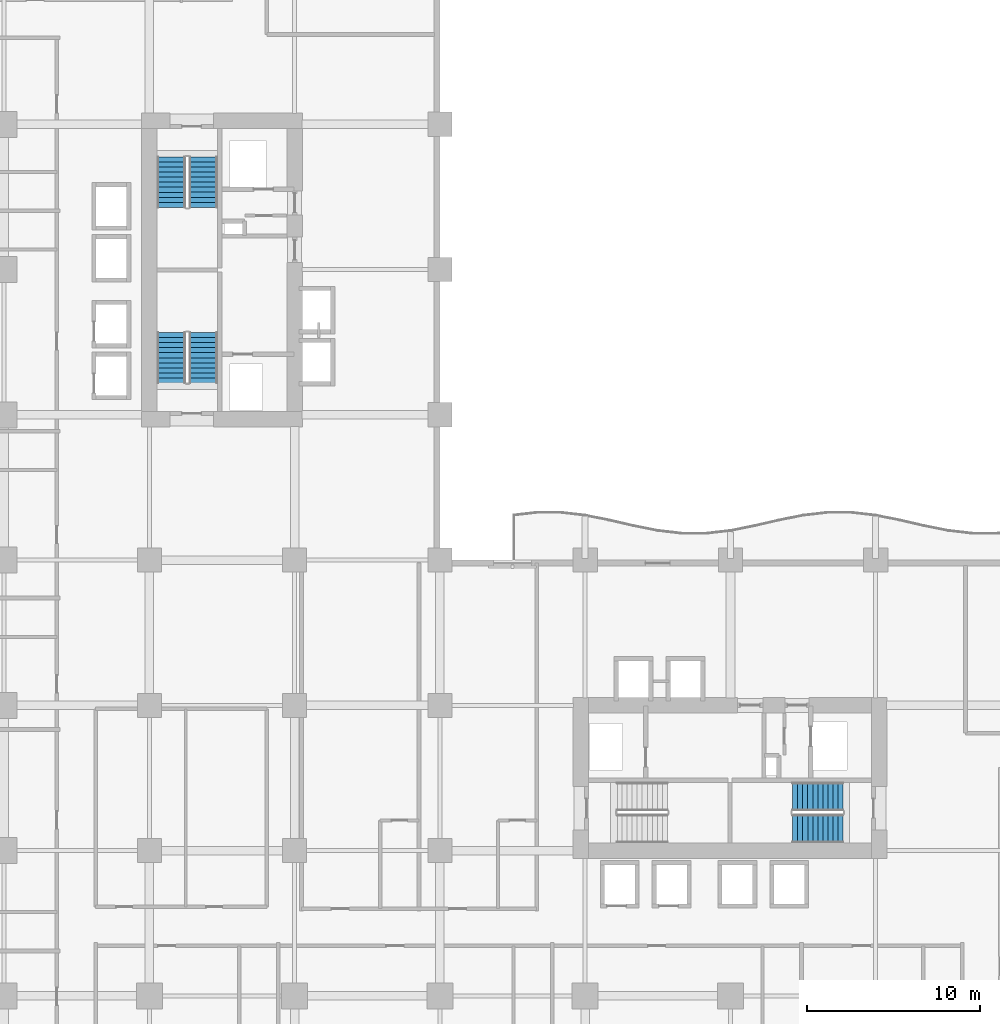
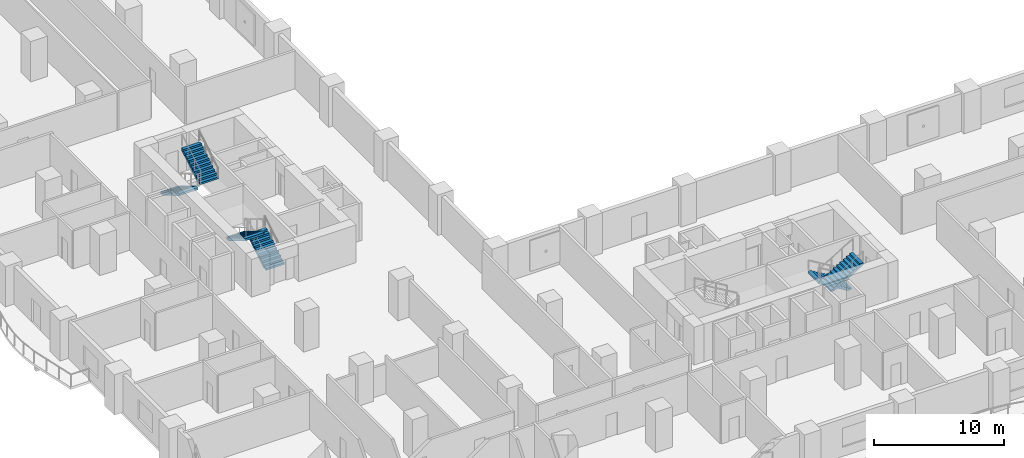
# One storey, part 14 of 20: 6 stair flights, 3 elements without a shape of their own.
"""IFC4 building model written with IfcOpenShell, lengths in metres."""

from ifc_helpers import new_model, si_unit, direction, frame, origin, place, context, subcontext, project, spatial, polyline, outline, extrude, material, type_object, element, aggregate, save


model = new_model("IFC4")

# Units and contexts
model_context = context("Model", 3, precision=1e-05, world=origin(), true_north=direction((0.0, 1.0)))
body_context = subcontext(model_context, "Body", "Model", "MODEL_VIEW")
ifc_project = project(units=[si_unit("LENGTHUNIT", "METRE"), si_unit("AREAUNIT", "SQUARE_METRE"), si_unit("VOLUMEUNIT", "CUBIC_METRE"), si_unit("PLANEANGLEUNIT", "RADIAN"), si_unit("MASSUNIT", "GRAM", prefix="KILO")], contexts=[model_context])

# Site, building, storey
site_placement = place(None, origin())
site = spatial("IfcSite", under=ifc_project, at=site_placement, CompositionType="ELEMENT")
building_placement = place(site_placement, origin())
building = spatial("IfcBuilding", under=site, at=building_placement, Name="Koriwani Terraces Tower", CompositionType="ELEMENT")
storey_placement = place(building_placement, frame((0.0, 0.0, 66.199951171875)))
storey = spatial("IfcBuildingStorey", under=building, at=storey_placement, Name="L15", CompositionType="ELEMENT", Elevation=66.199951171875)

# Stair, stair flights
ifc_material = material(Name="Concrete C40/50", Category="concrete")
stair_type = type_object("IfcStairType", Name="STAIR_CORE_DOGLEG_1650", PredefinedType="TWO_STRAIGHT_RUN_STAIR", material=ifc_material)
stair_1_placement = place(storey_placement, origin())
stair_1 = element("IfcStair", 1, at=stair_1_placement, inside=storey, type_object=stair_type, Name="L15 West Core Exit Stair 1", PredefinedType="HALF_TURN_STAIR")
stair_flight_type = type_object("IfcStairFlightType", Name="STAIR_FLIGHT_RC_1650", PredefinedType="STRAIGHT", material=ifc_material)
stair_flight_1_placement = place(storey_placement, frame((19.925048828125, 43.85009765625, 0.0), z_axis=(0.0, 0.0, 1.0), x_axis=(0.0, 1.0, 0.0)))
stair_flight_1 = element("IfcStairFlight", 2, at=stair_flight_1_placement, type_object=stair_flight_type, Name="ST-W1 flight 1", NumberOfRisers=11, NumberOfTreads=10, PredefinedType="STRAIGHT", RiserHeight=0.172727273, TreadLength=0.29, context=body_context, shape_type="SweptSolid", body=[
    extrude(outline(polyline([(0.0, 0.0), (0.0, 0.172607421875), (0.2900390625, 0.172607421875), (0.2900390625, 0.345458984375), (0.580078125, 0.345458984375), (0.580078125, 0.51806640625), (0.8701171875, 0.51806640625), (0.8701171875, 0.69091796875), (1.159912109375, 0.69091796875), (1.159912109375, 0.863525390625), (1.449951171875, 0.863525390625), (1.449951171875, 1.036376953125), (1.739990234375, 1.036376953125), (1.739990234375, 1.208984375), (2.030029296875, 1.208984375), (2.030029296875, 1.3818359375), (2.320068359375, 1.3818359375), (2.320068359375, 1.554443359375), (2.610107421875, 1.554443359375), (2.610107421875, 1.727294921875), (2.89990234375, 1.727294921875), (2.89990234375, 1.89990234375), (2.89990234375, 1.517822265625), (0.3515625, 0.0), (0.0, 0.0)])), frame((0.0, 0.824951171875, 0.0), z_axis=(0.0, -1.0, 0.0), x_axis=(1.0, 0.0, 0.0)), (0.0, 0.0, 1.0), 1.64990234375),
])
stair_flight_2_placement = place(storey_placement, frame((18.074951171875, 46.75, 1.900146484375), z_axis=(0.0, 0.0, 1.0), x_axis=(0.0, -1.0, 0.0)))
stair_flight_2 = element("IfcStairFlight", 3, at=stair_flight_2_placement, type_object=stair_flight_type, Name="ST-W1 flight 2", NumberOfRisers=11, NumberOfTreads=10, PredefinedType="STRAIGHT", RiserHeight=0.172727273, TreadLength=0.29, context=body_context, shape_type="SweptSolid", body=[
    extrude(outline(polyline([(0.0, 0.0), (0.0, 0.172607421875), (0.2900390625, 0.172607421875), (0.2900390625, 0.345458984375), (0.580078125, 0.345458984375), (0.580078125, 0.51806640625), (0.8701171875, 0.51806640625), (0.8701171875, 0.69091796875), (1.159912109375, 0.69091796875), (1.159912109375, 0.863525390625), (1.449951171875, 0.863525390625), (1.449951171875, 1.036376953125), (1.739990234375, 1.036376953125), (1.739990234375, 1.208984375), (2.030029296875, 1.208984375), (2.030029296875, 1.3818359375), (2.320068359375, 1.3818359375), (2.320068359375, 1.554443359375), (2.610107421875, 1.554443359375), (2.610107421875, 1.727294921875), (2.89990234375, 1.727294921875), (2.89990234375, 1.89990234375), (2.89990234375, 1.517822265625), (0.3515625, 0.0), (0.0, 0.0)])), frame((0.0, 0.824951171875, 0.0), z_axis=(0.0, -1.0, 0.0), x_axis=(1.0, 0.0, 0.0)), (0.0, 0.0, 1.0), 1.64990234375),
])
aggregate(stair_1, [stair_flight_1, stair_flight_2])

stair_2_placement = place(storey_placement, origin())
stair_2 = element("IfcStair", 4, at=stair_2_placement, inside=storey, type_object=stair_type, Name="L15 West Core Exit Stair 2", PredefinedType="HALF_TURN_STAIR")
stair_flight_3_placement = place(storey_placement, frame((18.074951171875, 56.89990234375, 0.0), z_axis=(0.0, 0.0, 1.0), x_axis=(0.0, -1.0, 0.0)))
stair_flight_3 = element("IfcStairFlight", 5, at=stair_flight_3_placement, type_object=stair_flight_type, Name="ST-W2 flight 1", NumberOfRisers=11, NumberOfTreads=10, PredefinedType="STRAIGHT", RiserHeight=0.172727273, TreadLength=0.29, context=body_context, shape_type="SweptSolid", body=[
    extrude(outline(polyline([(0.0, 0.0), (0.0, 0.172607421875), (0.2900390625, 0.172607421875), (0.2900390625, 0.345458984375), (0.580078125, 0.345458984375), (0.580078125, 0.51806640625), (0.8701171875, 0.51806640625), (0.8701171875, 0.69091796875), (1.159912109375, 0.69091796875), (1.159912109375, 0.863525390625), (1.449951171875, 0.863525390625), (1.449951171875, 1.036376953125), (1.739990234375, 1.036376953125), (1.739990234375, 1.208984375), (2.030029296875, 1.208984375), (2.030029296875, 1.3818359375), (2.320068359375, 1.3818359375), (2.320068359375, 1.554443359375), (2.610107421875, 1.554443359375), (2.610107421875, 1.727294921875), (2.89990234375, 1.727294921875), (2.89990234375, 1.89990234375), (2.89990234375, 1.517822265625), (0.3515625, 0.0), (0.0, 0.0)])), frame((0.0, 0.824951171875, 0.0), z_axis=(0.0, -1.0, 0.0), x_axis=(1.0, 0.0, 0.0)), (0.0, 0.0, 1.0), 1.64990234375),
])
stair_flight_4_placement = place(storey_placement, frame((19.925048828125, 54.0, 1.900146484375), z_axis=(0.0, 0.0, 1.0), x_axis=(0.0, 1.0, 0.0)))
stair_flight_4 = element("IfcStairFlight", 6, at=stair_flight_4_placement, type_object=stair_flight_type, Name="ST-W2 flight 2", NumberOfRisers=11, NumberOfTreads=10, PredefinedType="STRAIGHT", RiserHeight=0.172727273, TreadLength=0.29, context=body_context, shape_type="SweptSolid", body=[
    extrude(outline(polyline([(0.0, 0.0), (0.0, 0.172607421875), (0.2900390625, 0.172607421875), (0.2900390625, 0.345458984375), (0.580078125, 0.345458984375), (0.580078125, 0.51806640625), (0.8701171875, 0.51806640625), (0.8701171875, 0.69091796875), (1.159912109375, 0.69091796875), (1.159912109375, 0.863525390625), (1.449951171875, 0.863525390625), (1.449951171875, 1.036376953125), (1.739990234375, 1.036376953125), (1.739990234375, 1.208984375), (2.030029296875, 1.208984375), (2.030029296875, 1.3818359375), (2.320068359375, 1.3818359375), (2.320068359375, 1.554443359375), (2.610107421875, 1.554443359375), (2.610107421875, 1.727294921875), (2.89990234375, 1.727294921875), (2.89990234375, 1.89990234375), (2.89990234375, 1.517822265625), (0.3515625, 0.0), (0.0, 0.0)])), frame((0.0, 0.824951171875, 0.0), z_axis=(0.0, -1.0, 0.0), x_axis=(1.0, 0.0, 0.0)), (0.0, 0.0, 1.0), 1.64990234375),
])
aggregate(stair_2, [stair_flight_3, stair_flight_4])

stair_3_placement = place(storey_placement, origin())
stair_3 = element("IfcStair", 7, at=stair_3_placement, inside=storey, type_object=stair_type, Name="L15 East Core Exit Stair 2", PredefinedType="HALF_TURN_STAIR")
stair_flight_5_placement = place(storey_placement, frame((56.89990234375, 19.925048828125, 0.0), z_axis=(0.0, 0.0, 1.0), x_axis=(-1.0, 0.0, 0.0)))
stair_flight_5 = element("IfcStairFlight", 8, at=stair_flight_5_placement, type_object=stair_flight_type, Name="ST-E2 flight 1", NumberOfRisers=11, NumberOfTreads=10, PredefinedType="STRAIGHT", RiserHeight=0.172727273, TreadLength=0.29, context=body_context, shape_type="SweptSolid", body=[
    extrude(outline(polyline([(0.0, 0.0), (0.0, 0.172607421875), (0.2900390625, 0.172607421875), (0.2900390625, 0.345458984375), (0.580078125, 0.345458984375), (0.580078125, 0.51806640625), (0.8701171875, 0.51806640625), (0.8701171875, 0.69091796875), (1.159912109375, 0.69091796875), (1.159912109375, 0.863525390625), (1.449951171875, 0.863525390625), (1.449951171875, 1.036376953125), (1.739990234375, 1.036376953125), (1.739990234375, 1.208984375), (2.030029296875, 1.208984375), (2.030029296875, 1.3818359375), (2.320068359375, 1.3818359375), (2.320068359375, 1.554443359375), (2.610107421875, 1.554443359375), (2.610107421875, 1.727294921875), (2.89990234375, 1.727294921875), (2.89990234375, 1.89990234375), (2.89990234375, 1.517822265625), (0.3515625, 0.0), (0.0, 0.0)])), frame((0.0, 0.824951171875, 0.0), z_axis=(0.0, -1.0, 0.0), x_axis=(1.0, 0.0, 0.0)), (0.0, 0.0, 1.0), 1.64990234375),
])
stair_flight_6_placement = place(storey_placement, frame((54.0, 18.074951171875, 1.900146484375), z_axis=(0.0, 0.0, 1.0), x_axis=(1.0, 0.0, 0.0)))
stair_flight_6 = element("IfcStairFlight", 9, at=stair_flight_6_placement, type_object=stair_flight_type, Name="ST-E2 flight 2", NumberOfRisers=11, NumberOfTreads=10, PredefinedType="STRAIGHT", RiserHeight=0.172727273, TreadLength=0.29, context=body_context, shape_type="SweptSolid", body=[
    extrude(outline(polyline([(0.0, 0.0), (0.0, 0.172607421875), (0.2900390625, 0.172607421875), (0.2900390625, 0.345458984375), (0.580078125, 0.345458984375), (0.580078125, 0.51806640625), (0.8701171875, 0.51806640625), (0.8701171875, 0.69091796875), (1.159912109375, 0.69091796875), (1.159912109375, 0.863525390625), (1.449951171875, 0.863525390625), (1.449951171875, 1.036376953125), (1.739990234375, 1.036376953125), (1.739990234375, 1.208984375), (2.030029296875, 1.208984375), (2.030029296875, 1.3818359375), (2.320068359375, 1.3818359375), (2.320068359375, 1.554443359375), (2.610107421875, 1.554443359375), (2.610107421875, 1.727294921875), (2.89990234375, 1.727294921875), (2.89990234375, 1.89990234375), (2.89990234375, 1.517822265625), (0.3515625, 0.0), (0.0, 0.0)])), frame((0.0, 0.824951171875, 0.0), z_axis=(0.0, -1.0, 0.0), x_axis=(1.0, 0.0, 0.0)), (0.0, 0.0, 1.0), 1.64990234375),
])
aggregate(stair_3, [stair_flight_5, stair_flight_6])

save(model, "model.ifc")
